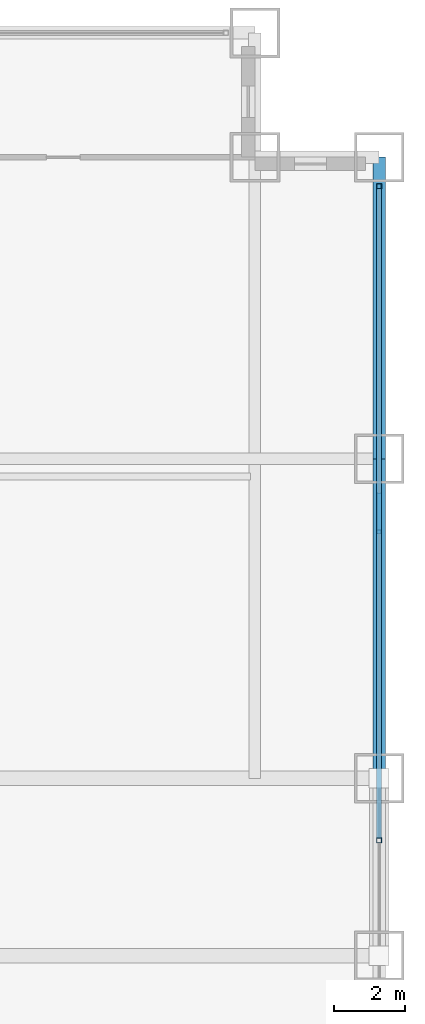
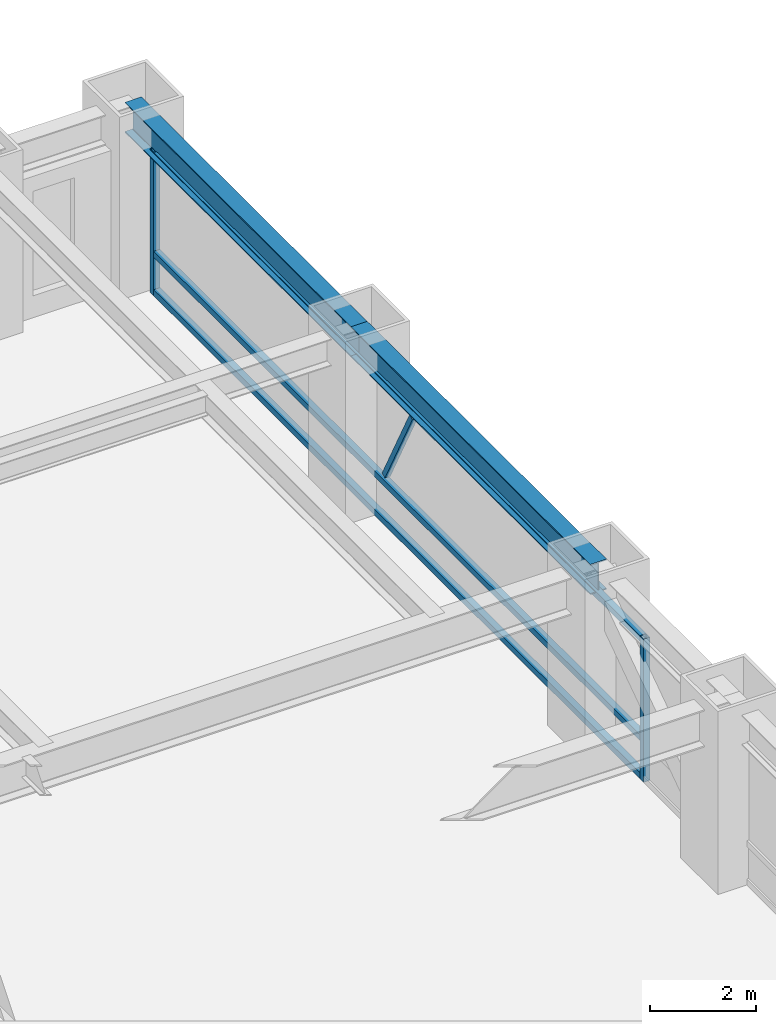
# One storey, part 18 of 28: 6 members, 2 beams, 1 element without a shape of its own.
"""IFC4 building model written with IfcOpenShell, lengths in metres."""

from ifc_helpers import new_model, si_unit, direction, frame, origin, origin_2d, place, context, subcontext, project, spatial, hollow_rectangle, i_section, extrude, source, transform, mapped, material, material_profile, profile_set, type_object, element, aggregate, save


model = new_model("IFC4")

# Units and contexts
model_context = context("Model", 3, precision=1e-05, world=origin(), true_north=direction((0.0, 1.0)))
body_context = subcontext(model_context, "Body", "Model", "MODEL_VIEW")
ifc_project = project(units=[si_unit("LENGTHUNIT", "METRE"), si_unit("AREAUNIT", "SQUARE_METRE"), si_unit("VOLUMEUNIT", "CUBIC_METRE"), si_unit("PLANEANGLEUNIT", "RADIAN"), si_unit("MASSUNIT", "GRAM", prefix="KILO")], contexts=[model_context])

# Site, building, storey
site_placement = place(None, origin())
site = spatial("IfcSite", under=ifc_project, at=site_placement, CompositionType="ELEMENT")
building_placement = place(site_placement, origin())
building = spatial("IfcBuilding", under=site, at=building_placement, Name="Khorayat Bourse Tower", CompositionType="ELEMENT")
storey_placement = place(building_placement, frame((0.0, 0.0, 66.199951171875)))
storey = spatial("IfcBuildingStorey", under=building, at=storey_placement, Name="L14", CompositionType="ELEMENT", Elevation=66.199951171875)

# Beams
ifc_material_1 = material(Name="Steel ASTM A992 Grade 50", Category="steel")
ifc_material_profile_1 = material_profile(ifc_material_1, i_section(OverallWidth=0.35498046875, OverallDepth=0.695068359375, WebThickness=0.015380859375, FlangeThickness=0.02490234375, FilletRadius=0.01806640625, at=origin_2d()), Name="W690X217")
ifc_profile_set_1 = profile_set([ifc_material_profile_1], Name="Steel ASTM A992 Grade 50")
beam_type = type_object("IfcBeamType", Name="BM-SPAN-690", PredefinedType="SPANDREL", material=ifc_profile_set_1)
shared_shape_1 = source(origin(), body_context, "Body", "SweptSolid", [
    extrude(i_section(OverallWidth=0.35498046875, OverallDepth=0.695068359375, WebThickness=0.015380859375, FlangeThickness=0.02490234375, FilletRadius=0.01806640625, at=origin_2d()), origin(), (0.0, 0.0, 1.0), 8.5),
])
beam_1_placement = place(storey_placement, frame((32.0, 20.0, 3.592529296875), z_axis=(0.0, 1.0, 0.0), x_axis=(-1.0, 0.0, 0.0)))
element("IfcBeam", 1, at=beam_1_placement, inside=storey, type_object=beam_type, Name="L14 BM-SPAN-690 BM-L14-SPN-041", PredefinedType="SPANDREL", context=body_context, shape_type="MappedRepresentation", body=[
    mapped(shared_shape_1, transform((0.0, 0.0, 0.0), scale=1.0)),
])
shared_shape_2 = source(origin(), body_context, "Body", "SweptSolid", [
    extrude(i_section(OverallWidth=0.35498046875, OverallDepth=0.695068359375, WebThickness=0.015380859375, FlangeThickness=0.02490234375, FilletRadius=0.01806640625, at=origin_2d()), origin(), (0.0, 0.0, 1.0), 9.0),
])
beam_2_placement = place(storey_placement, frame((32.0, 11.0, 3.592529296875), z_axis=(0.0, 1.0, 0.0), x_axis=(-1.0, 0.0, 0.0)))
element("IfcBeam", 2, at=beam_2_placement, inside=storey, type_object=beam_type, Name="L14 BM-SPAN-690 BM-L14-SPN-040", PredefinedType="SPANDREL", context=body_context, shape_type="MappedRepresentation", body=[
    mapped(shared_shape_2, transform((0.0, 0.0, 0.0), scale=1.0)),
])

# Curtain wall, members
ifc_material_2 = material(Name="Aluminium EN AW-6063 T6", Category="aluminium")
curtain_wall_type = type_object("IfcCurtainWallType", Name="CW-SYS-02", PredefinedType="NOTDEFINED", material=ifc_material_2)
curtain_wall_placement = place(storey_placement, origin())
curtain_wall = element("IfcCurtainWall", 3, at=curtain_wall_placement, inside=storey, type_object=curtain_wall_type, Name="L14 Curtain Wall CW-L14-E1", PredefinedType="NOTDEFINED")
ifc_material_profile_2 = material_profile(ifc_material_2, hollow_rectangle(XDim=0.139892578125, YDim=0.139892578125, WallThickness=0.006103515625, at=origin_2d()), Name="ALU 140x140x6")
ifc_profile_set_2 = profile_set([ifc_material_profile_2], Name="Aluminium EN AW-6063 T6")
member_type_1 = type_object("IfcMemberType", Name="CWT-HORZ-140", PredefinedType="USERDEFINED", material=ifc_profile_set_2)
shared_shape_3 = source(origin(), body_context, "Body", "SweptSolid", [
    extrude(hollow_rectangle(XDim=0.139892578125, YDim=0.139892578125, WallThickness=0.006103515625, at=origin_2d()), origin(), (0.0, 0.0, 1.0), 18.2900390625),
])
member_1_placement = place(storey_placement, frame((32.0, 9.320068359375, 0.070068359375), z_axis=(0.0, 1.0, 0.0), x_axis=(-1.0, 0.0, 0.0)))
member_1 = element("IfcMember", 4, at=member_1_placement, type_object=member_type_1, Name="CW-L14-E1 Horizontal Transom 3-1", ObjectType="TRANSOM", PredefinedType="USERDEFINED", context=body_context, shape_type="MappedRepresentation", body=[
    mapped(shared_shape_3, transform((0.0, 0.0, 0.0), scale=1.0)),
])
member_2_placement = place(storey_placement, frame((32.0, 9.320068359375, 0.949951171875), z_axis=(0.0, 1.0, 0.0), x_axis=(-1.0, 0.0, 0.0)))
member_2 = element("IfcMember", 5, at=member_2_placement, type_object=member_type_1, Name="CW-L14-E1 Horizontal Transom 3-2", ObjectType="TRANSOM", PredefinedType="USERDEFINED", context=body_context, shape_type="MappedRepresentation", body=[
    mapped(shared_shape_3, transform((0.0, 0.0, 0.0), scale=1.0)),
])
member_3_placement = place(storey_placement, frame((32.0, 9.320068359375, 3.219970703125), z_axis=(0.0, 1.0, 0.0), x_axis=(-1.0, 0.0, 0.0)))
member_3 = element("IfcMember", 6, at=member_3_placement, type_object=member_type_1, Name="CW-L14-E1 Horizontal Transom 3-3", ObjectType="TRANSOM", PredefinedType="USERDEFINED", context=body_context, shape_type="MappedRepresentation", body=[
    mapped(shared_shape_3, transform((0.0, 0.0, 0.0), scale=1.0)),
])
ifc_material_profile_3 = material_profile(ifc_material_2, hollow_rectangle(XDim=0.1201171875, YDim=0.1201171875, WallThickness=0.0048828125, at=origin_2d()), Name="ALU 120x120x5")
ifc_profile_set_3 = profile_set([ifc_material_profile_3], Name="Aluminium EN AW-6063 T6")
member_type_2 = type_object("IfcMemberType", Name="CWM-DIAG-120", PredefinedType="MULLION", material=ifc_profile_set_3)
shared_shape_4 = source(origin(), body_context, "Body", "SweptSolid", [
    extrude(hollow_rectangle(XDim=0.1201171875, YDim=0.1201171875, WallThickness=0.0048828125, at=origin_2d()), origin(), (0.0, 0.0, 1.0), 2.22607421875),
])
member_4_placement = place(storey_placement, frame((32.0, 18.9833984375, 1.10009765625), z_axis=(0.0, -0.465759992596, 0.884911085532), x_axis=(1.0, 0.0, 0.0)))
member_4 = element("IfcMember", 7, at=member_4_placement, type_object=member_type_2, Name="CW-L14-E1 Faceted Diagonal Mullion 3", PredefinedType="MULLION", context=body_context, shape_type="MappedRepresentation", body=[
    mapped(shared_shape_4, transform((0.0, 0.0, 0.0), scale=1.0)),
])
ifc_material_profile_4 = material_profile(ifc_material_2, hollow_rectangle(XDim=0.139892578125, YDim=0.139892578125, WallThickness=0.006103515625, at=origin_2d()), Name="ALU 140x140x6")
ifc_profile_set_4 = profile_set([ifc_material_profile_4], Name="Aluminium EN AW-6063 T6")
member_type_3 = type_object("IfcMemberType", Name="CWM-VERT-140", PredefinedType="MULLION", material=ifc_profile_set_4)
shared_shape_5 = source(origin(), body_context, "Body", "SweptSolid", [
    extrude(hollow_rectangle(XDim=0.139892578125, YDim=0.139892578125, WallThickness=0.006103515625, at=origin_2d()), origin(), (0.0, 0.0, 1.0), 3.2900390625),
])
member_5_placement = place(storey_placement, frame((32.0, 9.25, 0.0), z_axis=(0.0, 0.0, 1.0), x_axis=(-1.0, 0.0, 0.0)))
member_5 = element("IfcMember", 8, at=member_5_placement, type_object=member_type_3, Name="CW-L14-E1 Vertical Mullion 3", PredefinedType="MULLION", context=body_context, shape_type="MappedRepresentation", body=[
    mapped(shared_shape_5, transform((0.0, 0.0, 0.0), scale=1.0)),
])
member_6_placement = place(storey_placement, frame((32.0, 27.679931640625, 0.0), z_axis=(0.0, 0.0, 1.0), x_axis=(-1.0, 0.0, 0.0)))
member_6 = element("IfcMember", 9, at=member_6_placement, type_object=member_type_3, Name="CW-L14-E1 Vertical Mullion 4", PredefinedType="MULLION", context=body_context, shape_type="MappedRepresentation", body=[
    mapped(shared_shape_5, transform((0.0, 0.0, 0.0), scale=1.0)),
])
aggregate(curtain_wall, [member_5, member_6, member_1, member_2, member_3, member_4])

save(model, "model.ifc")
